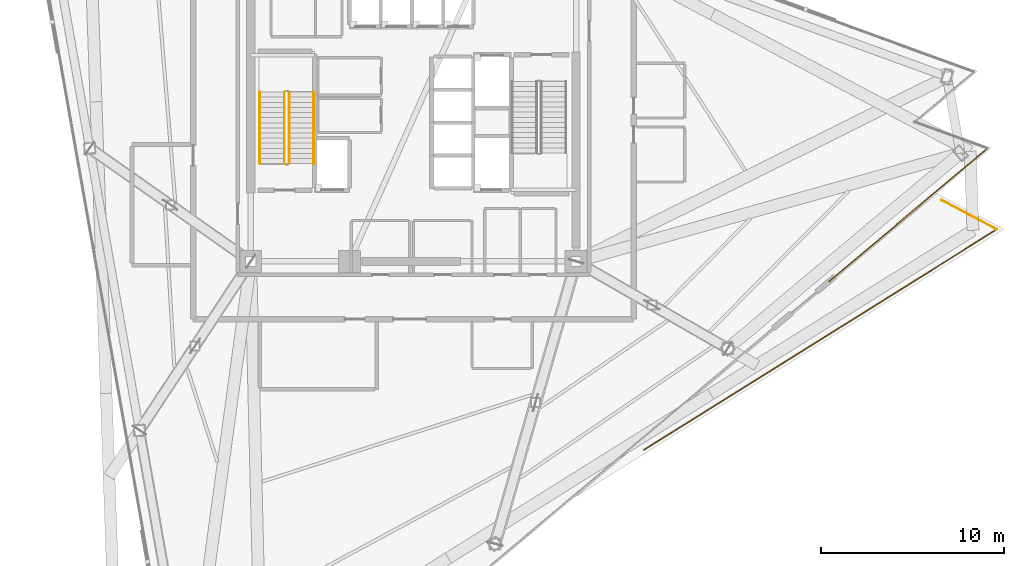
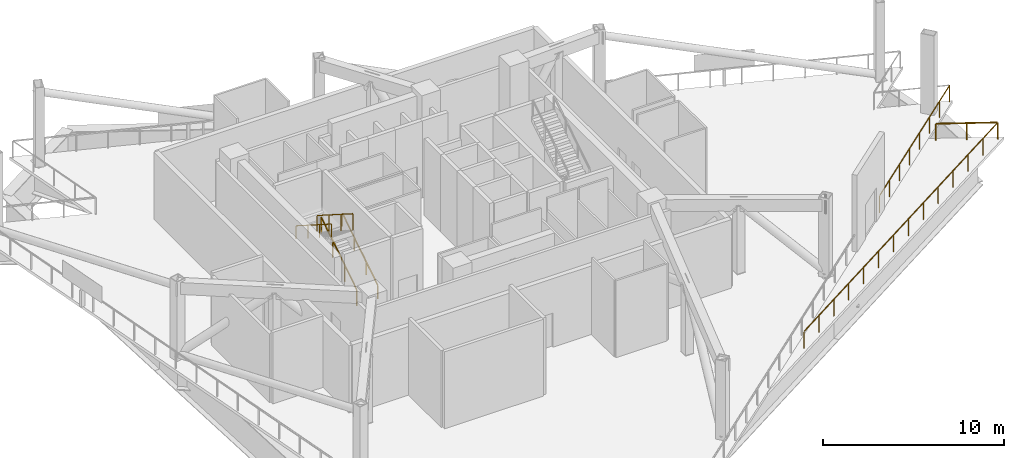
# One storey, part 12 of 15: 7 railings.
"""IFC4 building model written with IfcOpenShell, lengths in metres."""

import ifcopenshell
import ifcopenshell.guid

model = None  # the IFC model being written
_history = None  # IfcOwnerHistory: only IFC2X3 demands one
_inside = {}  # id of a spatial element -> (the spatial element, [elements in it])
_under = {}  # id of a project, library or spatial element -> (it, [spatial elements below it])
_declared = {}  # id of a project -> (the project, [libraries it declares])
_typed = {}  # id of a type object -> (the type object, [elements of that type])
_made_of = {}  # id of a material, layer set ... -> (it, [elements and type objects made of it])


def new_model(schema):
    """Start an empty IFC model of exactly this schema.

    Asked for "IFC4X3", IfcOpenShell would pick the latest addendum, in which some entities
    have other attributes; the version numbers below select the first issue.
    IFC2X3 requires an IfcOwnerHistory on every rooted entity: one is made here for all.
    """
    global model, _history
    if schema == "IFC4X3":
        model = ifcopenshell.file(schema_version=(4, 3, 0, 0))
    else:
        model = ifcopenshell.file(schema=schema)
    _inside.clear()
    _under.clear()
    _declared.clear()
    _typed.clear()
    _made_of.clear()
    _history = None
    if model.schema == "IFC2X3":
        org = make("IfcOrganization", Name="unknown")
        user = make(
            "IfcPersonAndOrganization",
            ThePerson=make("IfcPerson", FamilyName="unknown"),
            TheOrganization=org,
        )
        app = make(
            "IfcApplication",
            ApplicationDeveloper=org,
            Version="unknown",
            ApplicationFullName="unknown",
            ApplicationIdentifier="unknown",
        )
        _history = make(
            "IfcOwnerHistory",
            OwningUser=user,
            OwningApplication=app,
            ChangeAction="ADDED",
            CreationDate=0,
        )
    return model


def make(cls, **values):
    """One entity of the class cls with the attributes given. An attribute that is None is left unset."""
    return model.create_entity(
        cls, **{name: value for name, value in values.items() if value is not None}
    )


def rooted(cls, **values):
    """An entity with a GlobalId (a new one), such as an element, a storey or a relation."""
    return make(cls, GlobalId=ifcopenshell.guid.new(), OwnerHistory=_history, **values)


def si_unit(unit_type, name, prefix=None):
    """IfcSIUnit, for example si_unit("LENGTHUNIT", "METRE", prefix="MILLI")."""
    return make("IfcSIUnit", UnitType=unit_type, Prefix=prefix, Name=name)


def assignment(units):
    """IfcUnitAssignment: the units of a project."""
    return None if units is None else make("IfcUnitAssignment", Units=units)


def point(xyz):
    """IfcCartesianPoint."""
    return None if xyz is None else make("IfcCartesianPoint", Coordinates=xyz)


def direction(xyz):
    """IfcDirection."""
    return None if xyz is None else make("IfcDirection", DirectionRatios=xyz)


def frame(location, z_axis=None, x_axis=None):
    """IfcAxis2Placement3D, a coordinate frame: its origin and axes. An axis left out is left unset."""
    return make(
        "IfcAxis2Placement3D",
        Location=point(location),
        Axis=direction(z_axis),
        RefDirection=direction(x_axis),
    )


def frame_2d(location, x_axis=None):
    """IfcAxis2Placement2D, a coordinate frame in the plane: its origin and x axis."""
    return make(
        "IfcAxis2Placement2D", Location=point(location), RefDirection=direction(x_axis)
    )


def origin():
    """The frame at (0, 0, 0) with its axes left unset."""
    return frame((0.0, 0.0, 0.0))


def origin_2d():
    """The frame at (0, 0) in the plane with its x axis left unset."""
    return frame_2d((0.0, 0.0))


def place(relative_to, where):
    """IfcLocalPlacement: puts the frame where relative to a parent placement (None: the world)."""
    return make(
        "IfcLocalPlacement", PlacementRelTo=relative_to, RelativePlacement=where
    )


def context(
    kind, dimensions, precision=None, world=None, true_north=None, identifier=None
):
    """IfcGeometricRepresentationContext, for example the 3D "Model" context."""
    return make(
        "IfcGeometricRepresentationContext",
        ContextIdentifier=identifier,
        ContextType=kind,
        CoordinateSpaceDimension=dimensions,
        Precision=precision,
        WorldCoordinateSystem=world,
        TrueNorth=true_north,
    )


def subcontext(parent, identifier, kind, view, scale=None):
    """IfcGeometricRepresentationSubContext, for example "Body" below "Model"."""
    return make(
        "IfcGeometricRepresentationSubContext",
        ContextIdentifier=identifier,
        ContextType=kind,
        ParentContext=parent,
        TargetScale=scale,
        TargetView=view,
    )


def project(units=None, contexts=None):
    """IfcProject with its units and contexts."""
    return rooted(
        "IfcProject",
        Name="project",
        RepresentationContexts=contexts,
        UnitsInContext=assignment(units),
    )


def spatial(cls, under=None, at=None, **own):
    """A site, building, storey or space (cls), placed at a placement, below another one or the project."""
    s = rooted(cls, ObjectPlacement=at, **own)
    if under is not None:
        _under.setdefault(under.id(), (under, []))[1].append(s)
    return s


def profile(cls, at=None, kind="AREA", **sizes):
    """A parametric profile (cls). Its sizes go by their IFC names, for example OverallWidth=200.0."""
    return make(cls, ProfileType=kind, Position=at, **sizes)


def rectangle(**sizes):
    """IfcRectangleProfileDef."""
    return profile("IfcRectangleProfileDef", **sizes)


def extrude(swept, where, along, depth):
    """IfcExtrudedAreaSolid: the profile swept, set in the frame where, extruded along a direction by depth."""
    return make(
        "IfcExtrudedAreaSolid",
        SweptArea=swept,
        Position=where,
        ExtrudedDirection=direction(along),
        Depth=depth,
    )


def shape(context_of_items, identifier, shape_type, items):
    """IfcShapeRepresentation: the items that make up one representation, for example the "Body"."""
    return make(
        "IfcShapeRepresentation",
        ContextOfItems=context_of_items,
        RepresentationIdentifier=identifier,
        RepresentationType=shape_type,
        Items=items,
    )


def material(Name=None, Category=None):
    """IfcMaterial."""
    return make("IfcMaterial", Name=Name, Category=Category)


def made_of(thing, what):
    """Note that an element or type object is made of a material, layer set ...; save() writes the relation."""
    if what is not None:
        _made_of.setdefault(what.id(), (what, []))[1].append(thing)
    return thing


def type_object(cls, material=None, **own):
    """A type object (cls), such as IfcWallType, which elements share."""
    return made_of(rooted(cls, **own), material)


def element(
    cls,
    number,
    at=None,
    inside=None,
    cuts=None,
    type_object=None,
    material=None,
    context=None,
    identifier="Body",
    shape_type=None,
    held_by="IfcProductDefinitionShape",
    body=None,
    shapes=None,
    **own,
):
    """One element of the class cls, such as IfcWall. Its Tag is "e" and its number.

    at: its placement. inside: the storey or other place that contains it. cuts: it is an
    opening in that element (IfcRelVoidsElement). A single representation is given by context,
    identifier, shape_type and body (its items); several are given by shapes. held_by: the class
    of the entity that holds the representations. save() writes the other relations.
    """
    e = rooted(cls, Tag="e%d" % number, ObjectPlacement=at, **own)
    if body is not None:
        shapes = [shape(context, identifier, shape_type, body)]
    if shapes is not None:
        e.Representation = make(held_by, Representations=shapes)
    if inside is not None:
        _inside.setdefault(inside.id(), (inside, []))[1].append(e)
    if cuts is not None:
        rooted(
            "IfcRelVoidsElement", RelatingBuildingElement=cuts, RelatedOpeningElement=e
        )
    if type_object is not None:
        _typed.setdefault(type_object.id(), (type_object, []))[1].append(e)
    return made_of(e, material)


def aggregate(whole, parts):
    """IfcRelAggregates: a whole, such as a stair, and the parts it consists of."""
    return rooted("IfcRelAggregates", RelatingObject=whole, RelatedObjects=parts)


def save(model, path):
    """Write the relations noted so far, then the file.

    IfcRelAggregates (storeys below a building ...), IfcRelContainedInSpatialStructure (elements
    in a storey), IfcRelDefinesByType, IfcRelAssociatesMaterial and IfcRelDeclares: one each for
    every whole, place, type object, material and project.
    """
    for whole, parts in _under.values():
        aggregate(whole, parts)
    for where, things in _inside.values():
        rooted(
            "IfcRelContainedInSpatialStructure",
            RelatedElements=things,
            RelatingStructure=where,
        )
    for kind, things in _typed.values():
        rooted("IfcRelDefinesByType", RelatedObjects=things, RelatingType=kind)
    for what, things in _made_of.values():
        rooted("IfcRelAssociatesMaterial", RelatedObjects=things, RelatingMaterial=what)
    for by, libraries in _declared.values():
        rooted("IfcRelDeclares", RelatingContext=by, RelatedDefinitions=libraries)
    model.write(path)


model = new_model("IFC4")

# Units and contexts
model_context = context("Model", 3, precision=1e-05, world=origin(), true_north=direction((0.0, 1.0)))
body_context = subcontext(model_context, "Body", "Model", "MODEL_VIEW")
ifc_project = project(units=[si_unit("LENGTHUNIT", "METRE"), si_unit("AREAUNIT", "SQUARE_METRE"), si_unit("VOLUMEUNIT", "CUBIC_METRE"), si_unit("PLANEANGLEUNIT", "RADIAN"), si_unit("MASSUNIT", "GRAM", prefix="KILO")], contexts=[model_context])

# Site, building, storey
site_placement = place(None, origin())
site = spatial("IfcSite", under=ifc_project, at=site_placement, CompositionType="ELEMENT")
building_placement = place(site_placement, origin())
building = spatial("IfcBuilding", under=site, at=building_placement, Name="Tharavind Bronze Gate", CompositionType="ELEMENT")
storey_placement = place(building_placement, frame((0.0, 0.0, 165.14990234375)))
storey = spatial("IfcBuildingStorey", under=building, at=storey_placement, Name="L42", CompositionType="ELEMENT", Elevation=165.14990234375)

# Railings
ifc_material_1 = material(Name="Brushed Bronze Alloy", Category="metal")
railing_type_1 = type_object("IfcRailingType", Name="STAIR BRONZE HANDRAIL 900", PredefinedType="HANDRAIL", material=ifc_material_1)
railing_1_placement = place(storey_placement, frame((-5.449951171875, -2.25, 0.178466796875)))
element("IfcRailing", 1, at=railing_1_placement, inside=storey, type_object=railing_type_1, Name="L42 ST1 stair handrail 1", PredefinedType="HANDRAIL", context=body_context, shape_type="SweptSolid", body=[
    extrude(rectangle(XDim=0.048095703125, YDim=0.048095703125, at=origin_2d()), frame((0.0, 0.027099609375, 0.89306640625), z_axis=(0.0, 0.843458096447, 0.537194973485), x_axis=(-1.0, 0.0, 0.0)), (0.0, 0.0, 1.0), 4.58349609375),
    extrude(rectangle(XDim=0.0400390625, YDim=0.0400390625, at=origin_2d()), origin(), (0.0, 0.0, 1.0), 0.847900390625),
    extrude(rectangle(XDim=0.0400390625, YDim=0.0400390625, at=origin_2d()), frame((0.0, 1.306640625, 0.832275390625)), (0.0, 0.0, 1.0), 0.847900390625),
    extrude(rectangle(XDim=0.0400390625, YDim=0.0400390625, at=origin_2d()), frame((0.0, 2.61328125, 1.664306640625)), (0.0, 0.0, 1.0), 0.847900390625),
    extrude(rectangle(XDim=0.0400390625, YDim=0.0400390625, at=origin_2d()), frame((0.0, 3.919921875, 2.49658203125)), (0.0, 0.0, 1.0), 0.847900390625),
])
railing_2_placement = place(storey_placement, frame((-8.39990234375, 1.669921875, 2.853515625)))
element("IfcRailing", 2, at=railing_2_placement, inside=storey, type_object=railing_type_1, Name="L42 ST1 stair handrail 2", PredefinedType="HANDRAIL", context=body_context, shape_type="SweptSolid", body=[
    extrude(rectangle(XDim=0.048095703125, YDim=0.048095703125, at=origin_2d()), frame((0.0, -0.027099609375, 0.89306640625), z_axis=(0.0, -0.843458096447, 0.537194973485), x_axis=(1.0, 0.0, 0.0)), (0.0, 0.0, 1.0), 4.58349609375),
    extrude(rectangle(XDim=0.0400390625, YDim=0.0400390625, at=origin_2d()), origin(), (0.0, 0.0, 1.0), 0.847900390625),
    extrude(rectangle(XDim=0.0400390625, YDim=0.0400390625, at=origin_2d()), frame((0.0, -1.306640625, 0.832275390625)), (0.0, 0.0, 1.0), 0.847900390625),
    extrude(rectangle(XDim=0.0400390625, YDim=0.0400390625, at=origin_2d()), frame((0.0, -2.61328125, 1.664306640625)), (0.0, 0.0, 1.0), 0.847900390625),
    extrude(rectangle(XDim=0.0400390625, YDim=0.0400390625, at=origin_2d()), frame((0.0, -3.919921875, 2.49658203125)), (0.0, 0.0, 1.0), 0.847900390625),
])
railing_type_2 = type_object("IfcRailingType", Name="STAIR WELL GUARD RAILING 1120", PredefinedType="GUARDRAIL", material=ifc_material_1)
railing_3_placement = place(storey_placement, frame((-6.800048828125, -2.25, 0.178466796875)))
element("IfcRailing", 3, at=railing_3_placement, inside=storey, type_object=railing_type_2, Name="L42 ST1 stair guard 1", PredefinedType="GUARDRAIL", context=body_context, shape_type="SweptSolid", body=[
    extrude(rectangle(XDim=0.048095703125, YDim=0.048095703125, at=origin_2d()), frame((0.0, 0.027099609375, 1.11328125), z_axis=(0.0, 0.843458096447, 0.537194973485), x_axis=(-1.0, 0.0, 0.0)), (0.0, 0.0, 1.0), 4.58349609375),
    extrude(rectangle(XDim=0.0400390625, YDim=0.0400390625, at=origin_2d()), origin(), (0.0, 0.0, 1.0), 1.068115234375),
    extrude(rectangle(XDim=0.0400390625, YDim=0.0400390625, at=origin_2d()), frame((0.0, 1.306640625, 0.832275390625)), (0.0, 0.0, 1.0), 1.068115234375),
    extrude(rectangle(XDim=0.0400390625, YDim=0.0400390625, at=origin_2d()), frame((0.0, 2.61328125, 1.664306640625)), (0.0, 0.0, 1.0), 1.068115234375),
    extrude(rectangle(XDim=0.0400390625, YDim=0.0400390625, at=origin_2d()), frame((0.0, 3.919921875, 2.49658203125)), (0.0, 0.0, 1.0), 1.068115234375),
])
railing_4_placement = place(storey_placement, frame((-7.050048828125, 1.669921875, 2.853515625)))
element("IfcRailing", 4, at=railing_4_placement, inside=storey, type_object=railing_type_2, Name="L42 ST1 stair guard 3", PredefinedType="GUARDRAIL", context=body_context, shape_type="SweptSolid", body=[
    extrude(rectangle(XDim=0.048095703125, YDim=0.048095703125, at=origin_2d()), frame((0.0, -0.027099609375, 1.11328125), z_axis=(0.0, -0.843458096447, 0.537194973485), x_axis=(1.0, 0.0, 0.0)), (0.0, 0.0, 1.0), 4.58349609375),
    extrude(rectangle(XDim=0.0400390625, YDim=0.0400390625, at=origin_2d()), origin(), (0.0, 0.0, 1.0), 1.068115234375),
    extrude(rectangle(XDim=0.0400390625, YDim=0.0400390625, at=origin_2d()), frame((0.0, -1.306640625, 0.832275390625)), (0.0, 0.0, 1.0), 1.068115234375),
    extrude(rectangle(XDim=0.0400390625, YDim=0.0400390625, at=origin_2d()), frame((0.0, -2.61328125, 1.664306640625)), (0.0, 0.0, 1.0), 1.068115234375),
    extrude(rectangle(XDim=0.0400390625, YDim=0.0400390625, at=origin_2d()), frame((0.0, -3.919921875, 2.49658203125)), (0.0, 0.0, 1.0), 1.068115234375),
])
ifc_material_2 = material(Name="Bronze Cap & Laminated Glass", Category="glass")
railing_type_3 = type_object("IfcRailingType", Name="TERRACE GLASS GUARD RAILING 1150", PredefinedType="GUARDRAIL", material=ifc_material_2)
railing_5_placement = place(storey_placement, frame((22.740234375, -8.69384765625, 0.0)))
element("IfcRailing", 5, at=railing_5_placement, inside=storey, type_object=railing_type_3, Name="L42 open wind floor guard railing 7", PredefinedType="GUARDRAIL", context=body_context, shape_type="SweptSolid", body=[
    extrude(rectangle(XDim=0.048095703125, YDim=0.048095703125, at=origin_2d()), frame((0.0244140625, 0.0205078125, 1.1259765625), z_axis=(0.766040443286, 0.642792376471, 0.0), x_axis=(-0.642792376471, 0.766040443286, 0.0)), (0.0, 0.0, 1.0), 11.2548828125),
    extrude(rectangle(XDim=0.0400390625, YDim=0.0400390625, at=origin_2d()), origin(), (0.0, 0.0, 1.0), 1.097900390625),
    extrude(rectangle(XDim=0.0400390625, YDim=0.0400390625, at=origin_2d()), frame((1.23876953125, 1.039306640625, 0.0)), (0.0, 0.0, 1.0), 1.097900390625),
    extrude(rectangle(XDim=0.0400390625, YDim=0.0400390625, at=origin_2d()), frame((2.477294921875, 2.078857421875, 0.0)), (0.0, 0.0, 1.0), 1.097900390625),
    extrude(rectangle(XDim=0.0400390625, YDim=0.0400390625, at=origin_2d()), frame((3.716064453125, 3.1181640625, 0.0)), (0.0, 0.0, 1.0), 1.097900390625),
    extrude(rectangle(XDim=0.0400390625, YDim=0.0400390625, at=origin_2d()), frame((4.95458984375, 4.157470703125, 0.0)), (0.0, 0.0, 1.0), 1.097900390625),
    extrude(rectangle(XDim=0.0400390625, YDim=0.0400390625, at=origin_2d()), frame((6.193359375, 5.19677734375, 0.0)), (0.0, 0.0, 1.0), 1.097900390625),
    extrude(rectangle(XDim=0.0400390625, YDim=0.0400390625, at=origin_2d()), frame((7.431884765625, 6.236328125, 0.0)), (0.0, 0.0, 1.0), 1.097900390625),
    extrude(rectangle(XDim=0.0400390625, YDim=0.0400390625, at=origin_2d()), frame((8.670654296875, 7.275634765625, 0.0)), (0.0, 0.0, 1.0), 1.097900390625),
])
railing_6_placement = place(storey_placement, frame((31.914794921875, -5.846923828125, 0.0)))
element("IfcRailing", 6, at=railing_6_placement, inside=storey, type_object=railing_type_3, Name="L42 sky garden outer edge guard railing 1", PredefinedType="GUARDRAIL", context=body_context, shape_type="SweptSolid", body=[
    extrude(rectangle(XDim=0.048095703125, YDim=0.048095703125, at=origin_2d()), frame((-0.027099609375, -0.016845703125, 1.1259765625), z_axis=(-0.848051954138, -0.529913090122, 0.0), x_axis=(0.529913090122, -0.848051954138, 0.0)), (0.0, 0.0, 1.0), 22.687255859375),
    extrude(rectangle(XDim=0.0400390625, YDim=0.0400390625, at=origin_2d()), origin(), (0.0, 0.0, 1.0), 1.097900390625),
    extrude(rectangle(XDim=0.0400390625, YDim=0.0400390625, at=origin_2d()), frame((-1.484130859375, -0.927490234375, 0.0)), (0.0, 0.0, 1.0), 1.097900390625),
    extrude(rectangle(XDim=0.0400390625, YDim=0.0400390625, at=origin_2d()), frame((-2.96826171875, -1.854736328125, 0.0)), (0.0, 0.0, 1.0), 1.097900390625),
    extrude(rectangle(XDim=0.0400390625, YDim=0.0400390625, at=origin_2d()), frame((-4.452392578125, -2.7822265625, 0.0)), (0.0, 0.0, 1.0), 1.097900390625),
    extrude(rectangle(XDim=0.0400390625, YDim=0.0400390625, at=origin_2d()), frame((-5.936767578125, -3.70947265625, 0.0)), (0.0, 0.0, 1.0), 1.097900390625),
    extrude(rectangle(XDim=0.0400390625, YDim=0.0400390625, at=origin_2d()), frame((-7.4208984375, -4.636962890625, 0.0)), (0.0, 0.0, 1.0), 1.097900390625),
    extrude(rectangle(XDim=0.0400390625, YDim=0.0400390625, at=origin_2d()), frame((-8.905029296875, -5.564453125, 0.0)), (0.0, 0.0, 1.0), 1.097900390625),
    extrude(rectangle(XDim=0.0400390625, YDim=0.0400390625, at=origin_2d()), frame((-10.38916015625, -6.49169921875, 0.0)), (0.0, 0.0, 1.0), 1.097900390625),
    extrude(rectangle(XDim=0.0400390625, YDim=0.0400390625, at=origin_2d()), frame((-11.873291015625, -7.419189453125, 0.0)), (0.0, 0.0, 1.0), 1.097900390625),
    extrude(rectangle(XDim=0.0400390625, YDim=0.0400390625, at=origin_2d()), frame((-13.357421875, -8.3466796875, 0.0)), (0.0, 0.0, 1.0), 1.097900390625),
    extrude(rectangle(XDim=0.0400390625, YDim=0.0400390625, at=origin_2d()), frame((-14.841796875, -9.27392578125, 0.0)), (0.0, 0.0, 1.0), 1.097900390625),
    extrude(rectangle(XDim=0.0400390625, YDim=0.0400390625, at=origin_2d()), frame((-16.325927734375, -10.201416015625, 0.0)), (0.0, 0.0, 1.0), 1.097900390625),
    extrude(rectangle(XDim=0.0400390625, YDim=0.0400390625, at=origin_2d()), frame((-17.81005859375, -11.128662109375, 0.0)), (0.0, 0.0, 1.0), 1.097900390625),
    extrude(rectangle(XDim=0.0400390625, YDim=0.0400390625, at=origin_2d()), frame((-19.294189453125, -12.05615234375, 0.0)), (0.0, 0.0, 1.0), 1.097900390625),
])
railing_7_placement = place(storey_placement, frame((28.8994140625, -4.24365234375, 0.0)))
element("IfcRailing", 7, at=railing_7_placement, inside=storey, type_object=railing_type_3, Name="L42 sky garden outer edge guard railing 2", PredefinedType="GUARDRAIL", context=body_context, shape_type="SweptSolid", body=[
    extrude(rectangle(XDim=0.048095703125, YDim=0.048095703125, at=origin_2d()), frame((0.0283203125, -0.01513671875, 1.1259765625), z_axis=(0.88295183602, -0.469463582474, 0.0), x_axis=(0.469463582474, 0.88295183602, 0.0)), (0.0, 0.0, 1.0), 3.35107421875),
    extrude(rectangle(XDim=0.0400390625, YDim=0.0400390625, at=origin_2d()), origin(), (0.0, 0.0, 1.0), 1.097900390625),
    extrude(rectangle(XDim=0.0400390625, YDim=0.0400390625, at=origin_2d()), frame((1.5078125, -0.8017578125, 0.0)), (0.0, 0.0, 1.0), 1.097900390625),
    extrude(rectangle(XDim=0.0400390625, YDim=0.0400390625, at=origin_2d()), frame((3.015380859375, -1.603271484375, 0.0)), (0.0, 0.0, 1.0), 1.097900390625),
])

save(model, "model.ifc")
